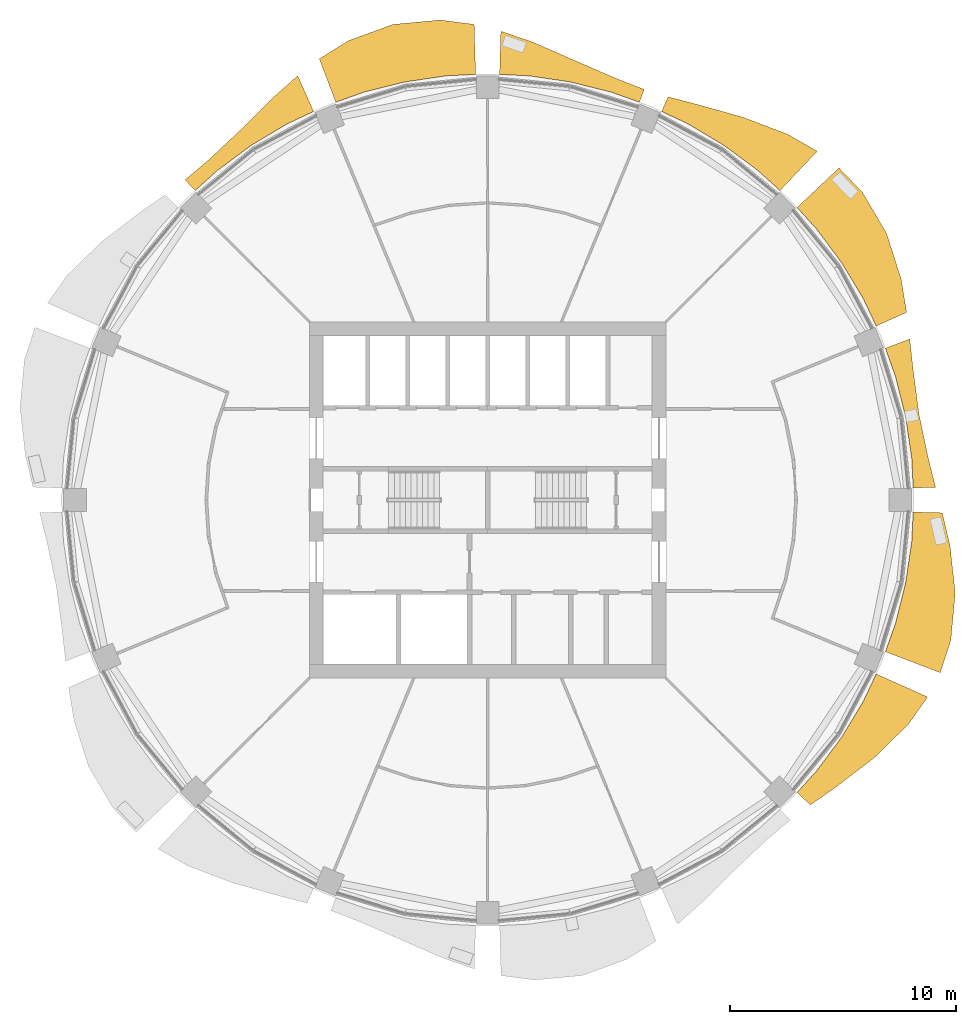
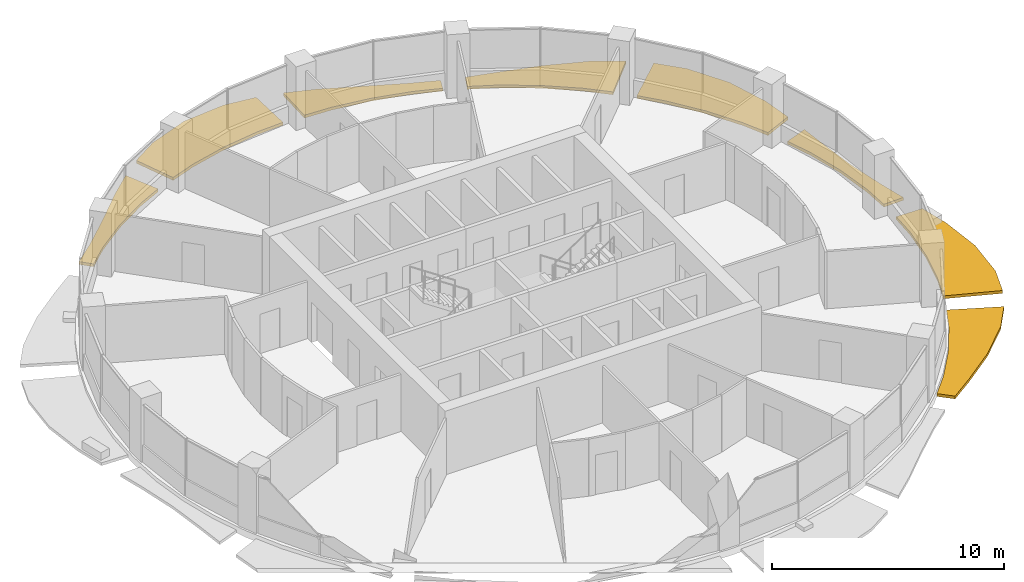
# One storey, part 14 of 15: 8 shading devices.
"""IFC4 building model written with IfcOpenShell, lengths in metres."""

from ifc_helpers import new_model, si_unit, direction, frame, origin, place, context, subcontext, project, spatial, polyline, outline, extrude, material, type_object, element, save


model = new_model("IFC4")

# Units and contexts
model_context = context("Model", 3, precision=1e-05, world=origin(), true_north=direction((0.0, 1.0)))
body_context = subcontext(model_context, "Body", "Model", "MODEL_VIEW")
ifc_project = project(units=[si_unit("LENGTHUNIT", "METRE"), si_unit("AREAUNIT", "SQUARE_METRE"), si_unit("VOLUMEUNIT", "CUBIC_METRE"), si_unit("PLANEANGLEUNIT", "RADIAN"), si_unit("MASSUNIT", "GRAM", prefix="KILO")], contexts=[model_context])

# Site, building, storey
site_placement = place(None, origin())
site = spatial("IfcSite", under=ifc_project, at=site_placement, CompositionType="ELEMENT")
building_placement = place(site_placement, origin())
building = spatial("IfcBuilding", under=site, at=building_placement, Name="Polderwave Tower", CompositionType="ELEMENT")
storey_placement = place(building_placement, frame((0.0, 0.0, 154.449951171875)))
storey = spatial("IfcBuildingStorey", under=building, at=storey_placement, Name="L41", CompositionType="ELEMENT", Elevation=154.449951171875)

# Shading devices
ifc_material = material(Name="Terracotta", Category="masonry")
shading_device_type = type_object("IfcShadingDeviceType", Name="Terracotta sunshade band", PredefinedType="USERDEFINED", material=ifc_material)
shading_device_1_placement = place(storey_placement, frame((0.0, 0.0, -0.349853515625)))
element("IfcShadingDevice", 1, at=shading_device_1_placement, inside=storey, type_object=shading_device_type, Name="Sunshade band L41 1", ObjectType="SUNSHADE", PredefinedType="USERDEFINED", context=body_context, shape_type="SweptSolid", body=[
    extrude(outline(polyline([(18.803955078125, 0.5302734375), (18.7392578125, 1.845703125), (18.46826171875, 3.673583984375), (18.019287109375, 5.466064453125), (17.575439453125, 6.7060546875), (18.65087890625, 7.116455078125), (18.809326171875, 5.705810546875), (19.061279296875, 3.79150390625), (19.454833984375, 1.916015625), (19.7919921875, 0.55810546875), (18.803955078125, 0.5302734375)])), origin(), (0.0, 0.0, 1.0), 0.14990234375),
])
shading_device_2_placement = place(storey_placement, frame((0.0, 0.0, -0.349853515625)))
element("IfcShadingDevice", 2, at=shading_device_2_placement, inside=storey, type_object=shading_device_type, Name="Sunshade band L41 2", ObjectType="SUNSHADE", PredefinedType="USERDEFINED", context=body_context, shape_type="SweptSolid", body=[
    extrude(outline(polyline([(17.169677734375, 7.685791015625), (16.606689453125, 8.87646484375), (15.656494140625, 10.46142578125), (14.555908203125, 11.945556640625), (13.67138671875, 12.92138671875), (15.524169921875, 14.672607421875), (16.561767578125, 13.591796875), (17.628662109375, 11.779052734375), (18.27197265625, 9.7666015625), (18.51416015625, 8.28759765625), (17.169677734375, 7.685791015625)])), origin(), (0.0, 0.0, 1.0), 0.14990234375),
])
shading_device_3_placement = place(storey_placement, frame((0.0, 0.0, -0.349853515625)))
element("IfcShadingDevice", 3, at=shading_device_3_placement, inside=storey, type_object=shading_device_type, Name="Sunshade band L41 3", ObjectType="SUNSHADE", PredefinedType="USERDEFINED", context=body_context, shape_type="SweptSolid", body=[
    extrude(outline(polyline([(12.92138671875, 13.67138671875), (11.945556640625, 14.555908203125), (10.46142578125, 15.656494140625), (8.87646484375, 16.606689453125), (7.685791015625, 17.169677734375), (7.974609375, 17.814453125), (9.332275390625, 17.45947265625), (11.296875, 16.906982421875), (13.2607421875, 16.158203125), (14.56396484375, 15.4091796875), (12.92138671875, 13.67138671875)])), origin(), (0.0, 0.0, 1.0), 0.14990234375),
])
shading_device_4_placement = place(storey_placement, frame((0.0, 0.0, -0.349853515625)))
element("IfcShadingDevice", 4, at=shading_device_4_placement, inside=storey, type_object=shading_device_type, Name="Sunshade band L41 4", ObjectType="SUNSHADE", PredefinedType="USERDEFINED", context=body_context, shape_type="SweptSolid", body=[
    extrude(outline(polyline([(6.7060546875, 17.575439453125), (5.466064453125, 18.019287109375), (3.673583984375, 18.46826171875), (1.845703125, 18.7392578125), (0.5302734375, 18.803955078125), (0.584228515625, 20.717529296875), (1.99267578125, 20.232177734375), (3.861572265625, 19.413818359375), (5.652587890625, 18.634033203125), (6.9228515625, 18.143798828125), (6.7060546875, 17.575439453125)])), origin(), (0.0, 0.0, 1.0), 0.14990234375),
])
shading_device_5_placement = place(storey_placement, frame((0.0, 0.0, -0.349853515625)))
element("IfcShadingDevice", 5, at=shading_device_5_placement, inside=storey, type_object=shading_device_type, Name="Sunshade band L41 5", ObjectType="SUNSHADE", PredefinedType="USERDEFINED", context=body_context, shape_type="SweptSolid", body=[
    extrude(outline(polyline([(-0.5302734375, 18.803955078125), (-1.845703125, 18.7392578125), (-3.673583984375, 18.46826171875), (-5.466064453125, 18.019287109375), (-6.7060546875, 17.575439453125), (-7.4365234375, 19.489990234375), (-6.1552734375, 20.291259765625), (-4.179931640625, 21.013671875), (-2.0888671875, 21.20849609375), (-0.592529296875, 21.0146484375), (-0.5302734375, 18.803955078125)])), origin(), (0.0, 0.0, 1.0), 0.14990234375),
])
shading_device_6_placement = place(storey_placement, frame((0.0, 0.0, -0.349853515625)))
element("IfcShadingDevice", 6, at=shading_device_6_placement, inside=storey, type_object=shading_device_type, Name="Sunshade band L41 6", ObjectType="SUNSHADE", PredefinedType="USERDEFINED", context=body_context, shape_type="SweptSolid", body=[
    extrude(outline(polyline([(-7.685791015625, 17.169677734375), (-8.87646484375, 16.606689453125), (-10.46142578125, 15.656494140625), (-11.945556640625, 14.555908203125), (-12.92138671875, 13.67138671875), (-13.368408203125, 14.144287109375), (-12.329345703125, 15.0234375), (-10.92138671875, 16.34521484375), (-9.49462890625, 17.76318359375), (-8.3916015625, 18.745849609375), (-7.685791015625, 17.169677734375)])), origin(), (0.0, 0.0, 1.0), 0.14990234375),
])
shading_device_7_placement = place(storey_placement, frame((0.0, 0.0, -0.349853515625)))
element("IfcShadingDevice", 7, at=shading_device_7_placement, inside=storey, type_object=shading_device_type, Name="Sunshade band L41 15", ObjectType="SUNSHADE", PredefinedType="USERDEFINED", context=body_context, shape_type="SweptSolid", body=[
    extrude(outline(polyline([(13.67138671875, -12.92138671875), (14.555908203125, -11.945556640625), (15.656494140625, -10.46142578125), (16.606689453125, -8.87646484375), (17.169677734375, -7.685791015625), (19.445556640625, -8.70458984375), (18.57568359375, -9.928955078125), (17.06689453125, -11.40380859375), (15.427001953125, -12.660400390625), (14.25927734375, -13.47705078125), (13.67138671875, -12.92138671875)])), origin(), (0.0, 0.0, 1.0), 0.14990234375),
])
shading_device_8_placement = place(storey_placement, frame((0.0, 0.0, -0.349853515625)))
element("IfcShadingDevice", 8, at=shading_device_8_placement, inside=storey, type_object=shading_device_type, Name="Sunshade band L41 16", ObjectType="SUNSHADE", PredefinedType="USERDEFINED", context=body_context, shape_type="SweptSolid", body=[
    extrude(outline(polyline([(17.575439453125, -6.7060546875), (18.019287109375, -5.466064453125), (18.46826171875, -3.673583984375), (18.7392578125, -1.845703125), (18.803955078125, -0.5302734375), (20.089111328125, -0.56640625), (20.43115234375, -2.01220703125), (20.6611328125, -4.10986328125), (20.466552734375, -6.20849609375), (19.9970703125, -7.6298828125), (17.575439453125, -6.7060546875)])), origin(), (0.0, 0.0, 1.0), 0.14990234375),
])

save(model, "model.ifc")
